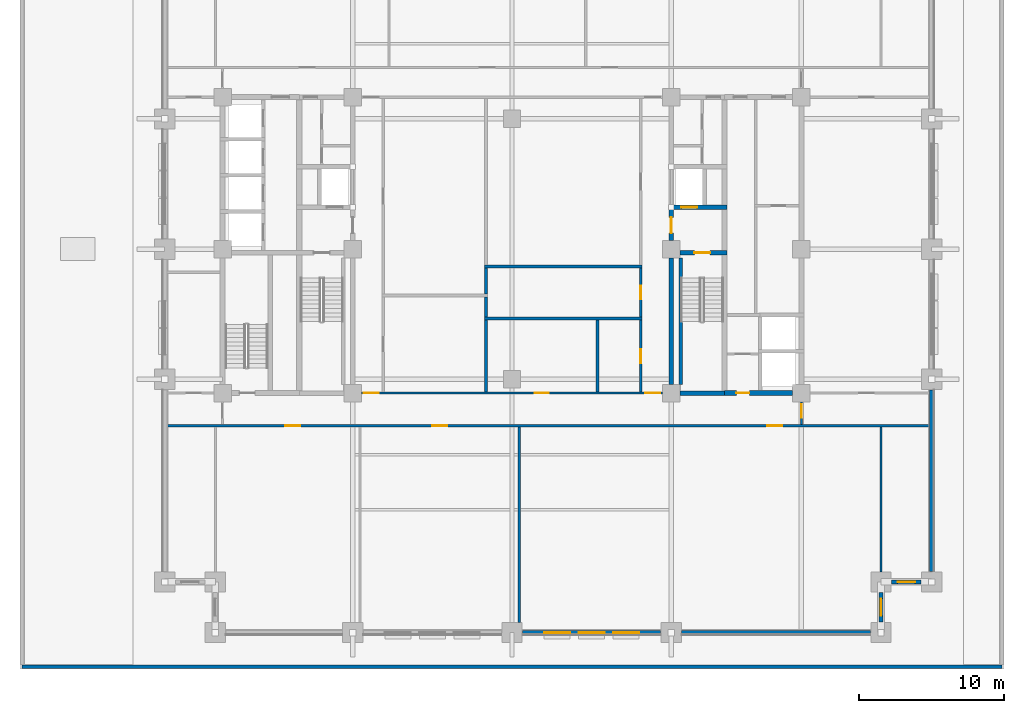
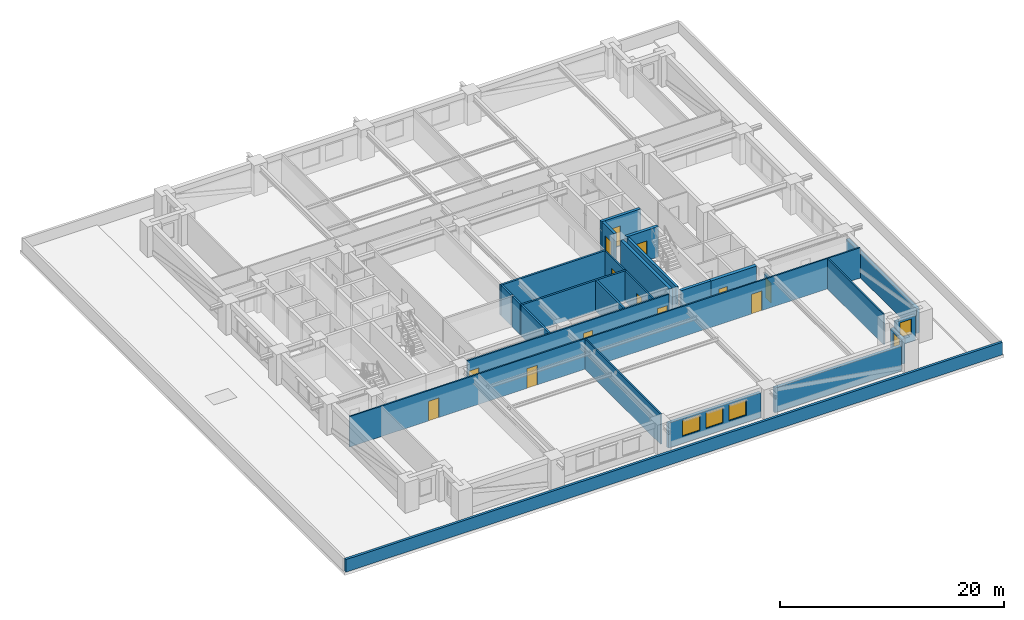
# One storey, part 4 of 12: 26 walls, 13 doors, 5 windows, 18 openings.
"""IFC4 building model written with IfcOpenShell, lengths in metres."""

from ifc_helpers import new_model, si_unit, direction, frame, frame_2d, origin, place, context, subcontext, project, spatial, rectangle, extrude, material, layer, layer_set, type_object, element, fill, save


model = new_model("IFC4")

# Units and contexts
model_context = context("Model", 3, precision=1e-05, world=origin(), true_north=direction((0.0, 1.0)))
body_context = subcontext(model_context, "Body", "Model", "MODEL_VIEW")
ifc_project = project(units=[si_unit("LENGTHUNIT", "METRE"), si_unit("AREAUNIT", "SQUARE_METRE"), si_unit("VOLUMEUNIT", "CUBIC_METRE"), si_unit("PLANEANGLEUNIT", "RADIAN"), si_unit("MASSUNIT", "GRAM", prefix="KILO")], contexts=[model_context])

# Site, building, storey
site_placement = place(None, origin())
site = spatial("IfcSite", under=ifc_project, at=site_placement, CompositionType="ELEMENT")
building_placement = place(site_placement, origin())
building = spatial("IfcBuilding", under=site, at=building_placement, Name="Zulmaris Gate Convention Tower", CompositionType="ELEMENT")
storey_placement = place(building_placement, frame((0.0, 0.0, 27.199951171875)))
storey = spatial("IfcBuildingStorey", under=building, at=storey_placement, Name="L05", CompositionType="ELEMENT", Elevation=27.199951171875)

# Walls
ifc_material_1 = material(Name="Concrete C50/60", Category="concrete")
ifc_layer_1 = layer(ifc_material_1, 0.25, Name="Concrete C50/60")
ifc_layer_set_1 = layer_set([ifc_layer_1], Name="Concrete C50/60")
wall_type_1 = type_object("IfcWallType", Name="CORE-250", PredefinedType="SOLIDWALL", material=ifc_layer_set_1)
wall_1_placement = place(storey_placement, frame((11.64990234375, -9.345947265625, 0.0), z_axis=(0.0, 0.0, 1.0), x_axis=(0.0, 1.0, 0.0)))
element("IfcWall", 1, at=wall_1_placement, inside=storey, type_object=wall_type_1, Name="WL-L05-061", PredefinedType="SOLIDWALL", context=body_context, shape_type="SweptSolid", body=[
    extrude(rectangle(XDim=8.741943359375, YDim=0.25, at=frame_2d((4.37109375, 0.0))), origin(), (0.0, 0.0, 1.0), 3.320068359375),
])
ifc_layer_2 = layer(ifc_material_1, 0.300048828125, Name="Concrete C50/60")
ifc_layer_set_2 = layer_set([ifc_layer_2], Name="Concrete C50/60")
wall_type_2 = type_object("IfcWallType", Name="CORE-300", PredefinedType="SHEAR", material=ifc_layer_set_2)
wall_2_placement = place(storey_placement, frame((11.60400390625, -9.949951171875, 0.0), z_axis=(0.0, 0.0, 1.0), x_axis=(1.0, 0.0, 0.0)))
element("IfcWall", 2, at=wall_2_placement, inside=storey, type_object=wall_type_2, Name="WL-L05-003", PredefinedType="SHEAR", context=body_context, shape_type="SweptSolid", body=[
    extrude(rectangle(XDim=3.095947265625, YDim=0.300048828125, at=frame_2d((1.5478515625, 0.0))), origin(), (0.0, 0.0, 1.0), 3.320068359375),
])

# Wall, opening, door
wall_3_placement = place(storey_placement, frame((11.60400390625, -0.25, 0.0), z_axis=(0.0, 0.0, 1.0), x_axis=(1.0, 0.0, 0.0)))
wall_3 = element("IfcWall", 3, at=wall_3_placement, inside=storey, type_object=wall_type_2, Name="WL-L05-008", PredefinedType="SHEAR", context=body_context, shape_type="SweptSolid", body=[
    extrude(rectangle(XDim=3.27099609375, YDim=0.300048828125, at=frame_2d((1.635498046875, 0.0))), origin(), (0.0, 0.0, 1.0), 3.320068359375),
])
opening_1_placement = place(wall_3_placement, frame((0.99609375, 0.0, 0.0)))
opening_1 = element("IfcOpeningElement", 4, at=opening_1_placement, cuts=wall_3, Name="Opening D-08", PredefinedType="OPENING", context=body_context, shape_type="SweptSolid", body=[
    extrude(rectangle(XDim=1.10009765625, YDim=2.14990234375, at=frame_2d((0.550048828125, 1.074951171875))), frame((0.0, 0.16015625, 0.0), z_axis=(0.0, -1.0, 0.0), x_axis=(1.0, 0.0, 0.0)), (0.0, 0.0, 1.0), 0.320068359375),
])
ifc_material_2 = material(Name="Fire-Rated Steel", Category="steel")
door_type_1 = type_object("IfcDoorType", Name="DR-1100-FD", OperationType="NOTDEFINED", PredefinedType="DOOR", material=ifc_material_2)
door_1_placement = place(opening_1_placement, origin())
door_1 = element("IfcDoor", 5, at=door_1_placement, inside=storey, type_object=door_type_1, Name="L05 Exit Stair ST-2 Door 04", OperationType="SINGLE_SWING_LEFT", OverallHeight=2.14990234375, OverallWidth=1.10009765625, PredefinedType="DOOR", context=body_context, shape_type="SweptSolid", body=[
    extrude(rectangle(XDim=1.10009765625, YDim=2.14990234375, at=frame_2d((0.550048828125, 1.074951171875))), frame((0.0, 0.02490234375, 0.0), z_axis=(0.0, -1.0, 0.0), x_axis=(1.0, 0.0, 0.0)), (0.0, 0.0, 1.0), 0.050048828125),
])
fill(opening_1, door_1)

wall_4_placement = place(storey_placement, frame((10.85009765625, 2.89990234375, 0.0), z_axis=(0.0, 0.0, 1.0), x_axis=(1.0, 0.0, 0.0)))
wall_4 = element("IfcWall", 6, at=wall_4_placement, inside=storey, type_object=wall_type_2, Name="WL-L05-011", PredefinedType="SHEAR", context=body_context, shape_type="SweptSolid", body=[
    extrude(rectangle(XDim=4.02490234375, YDim=0.300048828125, at=frame_2d((2.012451171875, 0.0))), origin(), (0.0, 0.0, 1.0), 3.320068359375),
])
opening_2_placement = place(wall_4_placement, frame((0.85009765625, 0.0, 0.0)))
opening_2 = element("IfcOpeningElement", 7, at=opening_2_placement, cuts=wall_4, Name="Opening D-06", PredefinedType="OPENING", context=body_context, shape_type="SweptSolid", body=[
    extrude(rectangle(XDim=1.10009765625, YDim=2.199951171875, at=frame_2d((0.550048828125, 1.10009765625))), frame((0.0, 0.16015625, 0.0), z_axis=(0.0, -1.0, 0.0), x_axis=(1.0, 0.0, 0.0)), (0.0, 0.0, 1.0), 0.320068359375),
])
ifc_material_3 = material(Name="Brushed Stainless Steel", Category="steel")
door_type_2 = type_object("IfcDoorType", Name="LD-1100", OperationType="NOTDEFINED", PredefinedType="DOOR", material=ifc_material_3)
door_2_placement = place(opening_2_placement, origin())
door_2 = element("IfcDoor", 8, at=door_2_placement, inside=storey, type_object=door_type_2, Name="L05 Lift Landing Door LF-02 06", OperationType="SLIDING_TO_RIGHT", OverallHeight=2.199951171875, OverallWidth=1.10009765625, PredefinedType="DOOR", context=body_context, shape_type="SweptSolid", body=[
    extrude(rectangle(XDim=1.10009765625, YDim=2.199951171875, at=frame_2d((0.550048828125, 1.10009765625))), frame((0.0, 0.02490234375, 0.0), z_axis=(0.0, -1.0, 0.0), x_axis=(1.0, 0.0, 0.0)), (0.0, 0.0, 1.0), 0.050048828125),
])
fill(opening_2, door_2)

# Wall
wall_5_placement = place(storey_placement, frame((11.0, -9.345947265625, 0.0), z_axis=(0.0, 0.0, 1.0), x_axis=(0.0, 1.0, 0.0)))
element("IfcWall", 9, at=wall_5_placement, inside=storey, type_object=wall_type_2, Name="WL-L05-057", PredefinedType="SHEAR", context=body_context, shape_type="SweptSolid", body=[
    extrude(rectangle(XDim=8.741943359375, YDim=0.300048828125, at=frame_2d((4.37109375, 0.0))), origin(), (0.0, 0.0, 1.0), 3.320068359375),
])

# Wall, opening, door
wall_6_placement = place(storey_placement, frame((11.0, 0.60400390625, 0.0), z_axis=(0.0, 0.0, 1.0), x_axis=(0.0, 1.0, 0.0)))
wall_6 = element("IfcWall", 10, at=wall_6_placement, inside=storey, type_object=wall_type_2, Name="WL-L05-058", PredefinedType="SHEAR", context=body_context, shape_type="SweptSolid", body=[
    extrude(rectangle(XDim=2.14404296875, YDim=0.300048828125, at=frame_2d((1.072021484375, 0.0))), origin(), (0.0, 0.0, 1.0), 3.320068359375),
])
opening_3_placement = place(wall_6_placement, frame((0.49609375, 0.0, 0.0)))
opening_3 = element("IfcOpeningElement", 11, at=opening_3_placement, cuts=wall_6, Name="Opening D-08", PredefinedType="OPENING", context=body_context, shape_type="SweptSolid", body=[
    extrude(rectangle(XDim=1.10009765625, YDim=2.14990234375, at=frame_2d((0.550048828125, 1.074951171875))), frame((0.0, 0.16015625, 0.0), z_axis=(0.0, -1.0, 0.0), x_axis=(1.0, 0.0, 0.0)), (0.0, 0.0, 1.0), 0.320068359375),
])
door_3_placement = place(opening_3_placement, origin())
door_3 = element("IfcDoor", 12, at=door_3_placement, inside=storey, type_object=door_type_1, Name="L05 East Firefighting Lobby Door 05", OperationType="SINGLE_SWING_RIGHT", OverallHeight=2.14990234375, OverallWidth=1.10009765625, PredefinedType="DOOR", context=body_context, shape_type="SweptSolid", body=[
    extrude(rectangle(XDim=1.10009765625, YDim=2.14990234375, at=frame_2d((0.550048828125, 1.074951171875))), frame((0.0, 0.02490234375, 0.0), z_axis=(0.0, -1.0, 0.0), x_axis=(1.0, 0.0, 0.0)), (0.0, 0.0, 1.0), 0.050048828125),
])
fill(opening_3, door_3)

ifc_material_4 = material(Name="Concrete C55/67", Category="concrete")
ifc_layer_3 = layer(ifc_material_4, 0.35009765625, Name="Concrete C55/67")
ifc_layer_set_3 = layer_set([ifc_layer_3], Name="Concrete C55/67")
wall_type_3 = type_object("IfcWallType", Name="CORE-350", PredefinedType="SHEAR", material=ifc_layer_set_3)
wall_7_placement = place(storey_placement, frame((14.699951171875, -9.949951171875, 0.0), z_axis=(0.0, 0.0, 1.0), x_axis=(1.0, 0.0, 0.0)))
wall_7 = element("IfcWall", 13, at=wall_7_placement, inside=storey, type_object=wall_type_3, Name="WL-L05-004", PredefinedType="SHEAR", context=body_context, shape_type="SweptSolid", body=[
    extrude(rectangle(XDim=4.696044921875, YDim=0.35009765625, at=frame_2d((2.34814453125, 0.0))), origin(), (0.0, 0.0, 1.0), 3.320068359375),
])
opening_4_placement = place(wall_7_placement, frame((0.800048828125, 0.0, 0.0)))
opening_4 = element("IfcOpeningElement", 14, at=opening_4_placement, cuts=wall_7, Name="Opening D-12", PredefinedType="OPENING", context=body_context, shape_type="SweptSolid", body=[
    extrude(rectangle(XDim=0.89990234375, YDim=2.14990234375, at=frame_2d((0.449951171875, 1.074951171875))), frame((0.0, 0.18505859375, 0.0), z_axis=(0.0, -1.0, 0.0), x_axis=(1.0, 0.0, 0.0)), (0.0, 0.0, 1.0), 0.3701171875),
])
ifc_material_5 = material(Name="Fire-Rated Timber", Category="wood")
door_type_3 = type_object("IfcDoorType", Name="DR-900-FD", OperationType="NOTDEFINED", PredefinedType="DOOR", material=ifc_material_5)
door_4_placement = place(opening_4_placement, origin())
door_4 = element("IfcDoor", 15, at=door_4_placement, inside=storey, type_object=door_type_3, Name="L05 East Cleaners Store Door 19", OperationType="SINGLE_SWING_LEFT", OverallHeight=2.14990234375, OverallWidth=0.89990234375, PredefinedType="DOOR", context=body_context, shape_type="SweptSolid", body=[
    extrude(rectangle(XDim=0.89990234375, YDim=2.14990234375, at=frame_2d((0.449951171875, 1.074951171875))), frame((0.0, 0.02490234375, 0.0), z_axis=(0.0, -1.0, 0.0), x_axis=(1.0, 0.0, 0.0)), (0.0, 0.0, 1.0), 0.050048828125),
])
fill(opening_4, door_4)

# Wall, openings, doors
ifc_material_6 = material(Name="Gypsum Metal Stud Partition")
ifc_layer_4 = layer(ifc_material_6, 0.14990234375, Name="Gypsum Metal Stud Partition")
ifc_layer_set_4 = layer_set([ifc_layer_4], Name="Gypsum Metal Stud Partition")
wall_type_4 = type_object("IfcWallType", Name="PART-150", PredefinedType="PARTITIONING", material=ifc_layer_set_4)
wall_8_placement = place(storey_placement, frame((-23.8349609375, -12.199951171875, 0.0), z_axis=(0.0, 0.0, 1.0), x_axis=(1.0, 0.0, 0.0)))
wall_8 = element("IfcWall", 16, at=wall_8_placement, inside=storey, type_object=wall_type_4, Name="WL-L05-020", PredefinedType="PARTITIONING", context=body_context, shape_type="SweptSolid", body=[
    extrude(rectangle(XDim=52.669921875, YDim=0.14990234375, at=frame_2d((26.3349609375, 0.0))), origin(), (0.0, 0.0, 1.0), 3.320068359375),
])
opening_5_placement = place(wall_8_placement, frame((8.159912109375, 0.0, 0.0)))
opening_5 = element("IfcOpeningElement", 17, at=opening_5_placement, cuts=wall_8, Name="Opening D-09", PredefinedType="OPENING", context=body_context, shape_type="SweptSolid", body=[
    extrude(rectangle(XDim=1.050048828125, YDim=2.14990234375, at=frame_2d((0.52490234375, 1.074951171875))), frame((0.0, 0.0849609375, 0.0), z_axis=(0.0, -1.0, 0.0), x_axis=(1.0, 0.0, 0.0)), (0.0, 0.0, 1.0), 0.169921875),
])
opening_6_placement = place(wall_8_placement, frame((18.31005859375, 0.0, 0.0)))
opening_6 = element("IfcOpeningElement", 18, at=opening_6_placement, cuts=wall_8, Name="Opening D-09", PredefinedType="OPENING", context=body_context, shape_type="SweptSolid", body=[
    extrude(rectangle(XDim=1.050048828125, YDim=2.14990234375, at=frame_2d((0.52490234375, 1.074951171875))), frame((0.0, 0.0849609375, 0.0), z_axis=(0.0, -1.0, 0.0), x_axis=(1.0, 0.0, 0.0)), (0.0, 0.0, 1.0), 0.169921875),
])
opening_7_placement = place(wall_8_placement, frame((41.4599609375, 0.0, 0.0)))
opening_7 = element("IfcOpeningElement", 19, at=opening_7_placement, cuts=wall_8, Name="Opening D-09", PredefinedType="OPENING", context=body_context, shape_type="SweptSolid", body=[
    extrude(rectangle(XDim=1.050048828125, YDim=2.14990234375, at=frame_2d((0.52490234375, 1.074951171875))), frame((0.0, 0.0849609375, 0.0), z_axis=(0.0, -1.0, 0.0), x_axis=(1.0, 0.0, 0.0)), (0.0, 0.0, 1.0), 0.169921875),
])
door_type_4 = type_object("IfcDoorType", Name="DR-1050-FD", OperationType="NOTDEFINED", PredefinedType="DOOR", material=ifc_material_2)
door_5_placement = place(opening_5_placement, origin())
door_5 = element("IfcDoor", 20, at=door_5_placement, inside=storey, type_object=door_type_4, Name="L05 Executive Boardroom Door 31", OperationType="SINGLE_SWING_LEFT", OverallHeight=2.14990234375, OverallWidth=1.050048828125, PredefinedType="DOOR", context=body_context, shape_type="SweptSolid", body=[
    extrude(rectangle(XDim=1.050048828125, YDim=2.14990234375, at=frame_2d((0.52490234375, 1.074951171875))), frame((0.0, 0.02490234375, 0.0), z_axis=(0.0, -1.0, 0.0), x_axis=(1.0, 0.0, 0.0)), (0.0, 0.0, 1.0), 0.050048828125),
])
fill(opening_5, door_5)
door_6_placement = place(opening_6_placement, origin())
door_6 = element("IfcDoor", 21, at=door_6_placement, inside=storey, type_object=door_type_4, Name="L05 Corporate Strategy Office Door 32", OperationType="SINGLE_SWING_RIGHT", OverallHeight=2.14990234375, OverallWidth=1.050048828125, PredefinedType="DOOR", context=body_context, shape_type="SweptSolid", body=[
    extrude(rectangle(XDim=1.050048828125, YDim=2.14990234375, at=frame_2d((0.52490234375, 1.074951171875))), frame((0.0, 0.02490234375, 0.0), z_axis=(0.0, -1.0, 0.0), x_axis=(1.0, 0.0, 0.0)), (0.0, 0.0, 1.0), 0.050048828125),
])
fill(opening_6, door_6)
door_7_placement = place(opening_7_placement, origin())
door_7 = element("IfcDoor", 22, at=door_7_placement, inside=storey, type_object=door_type_4, Name="L05 Project Advisory Studio Door 33", OperationType="SINGLE_SWING_LEFT", OverallHeight=2.14990234375, OverallWidth=1.050048828125, PredefinedType="DOOR", context=body_context, shape_type="SweptSolid", body=[
    extrude(rectangle(XDim=1.050048828125, YDim=2.14990234375, at=frame_2d((0.52490234375, 1.074951171875))), frame((0.0, 0.02490234375, 0.0), z_axis=(0.0, -1.0, 0.0), x_axis=(1.0, 0.0, 0.0)), (0.0, 0.0, 1.0), 0.050048828125),
])
fill(opening_7, door_7)

wall_9_placement = place(storey_placement, frame((-10.39404296875, -9.949951171875, 0.0), z_axis=(0.0, 0.0, 1.0), x_axis=(1.0, 0.0, 0.0)))
wall_9 = element("IfcWall", 23, at=wall_9_placement, inside=storey, type_object=wall_type_4, Name="WL-L05-022", PredefinedType="PARTITIONING", context=body_context, shape_type="SweptSolid", body=[
    extrude(rectangle(XDim=20.7880859375, YDim=0.14990234375, at=frame_2d((10.39404296875, 0.0))), origin(), (0.0, 0.0, 1.0), 3.320068359375),
])
opening_8_placement = place(wall_9_placement, frame((0.14990234375, 0.0, 0.0)))
opening_8 = element("IfcOpeningElement", 24, at=opening_8_placement, cuts=wall_9, Name="Opening D-09", PredefinedType="OPENING", context=body_context, shape_type="SweptSolid", body=[
    extrude(rectangle(XDim=1.050048828125, YDim=2.14990234375, at=frame_2d((0.52490234375, 1.074951171875))), frame((0.0, 0.0849609375, 0.0), z_axis=(0.0, -1.0, 0.0), x_axis=(1.0, 0.0, 0.0)), (0.0, 0.0, 1.0), 0.169921875),
])
opening_9_placement = place(wall_9_placement, frame((19.587890625, 0.0, 0.0)))
opening_9 = element("IfcOpeningElement", 25, at=opening_9_placement, cuts=wall_9, Name="Opening D-09", PredefinedType="OPENING", context=body_context, shape_type="SweptSolid", body=[
    extrude(rectangle(XDim=1.050048828125, YDim=2.14990234375, at=frame_2d((0.52490234375, 1.074951171875))), frame((0.0, 0.0849609375, 0.0), z_axis=(0.0, -1.0, 0.0), x_axis=(1.0, 0.0, 0.0)), (0.0, 0.0, 1.0), 0.169921875),
])
opening_10_placement = place(wall_9_placement, frame((11.968994140625, 0.0, 0.0)))
opening_10 = element("IfcOpeningElement", 26, at=opening_10_placement, cuts=wall_9, Name="Opening D-11", PredefinedType="OPENING", context=body_context, shape_type="SweptSolid", body=[
    extrude(rectangle(XDim=0.949951171875, YDim=2.14990234375, at=frame_2d((0.47509765625, 1.074951171875))), frame((0.0, 0.0849609375, 0.0), z_axis=(0.0, -1.0, 0.0), x_axis=(1.0, 0.0, 0.0)), (0.0, 0.0, 1.0), 0.169921875),
])
door_8_placement = place(opening_8_placement, origin())
door_8 = element("IfcDoor", 27, at=door_8_placement, inside=storey, type_object=door_type_4, Name="L05 SW Spine Link Door 25", OperationType="SINGLE_SWING_LEFT", OverallHeight=2.14990234375, OverallWidth=1.050048828125, PredefinedType="DOOR", context=body_context, shape_type="SweptSolid", body=[
    extrude(rectangle(XDim=1.050048828125, YDim=2.14990234375, at=frame_2d((0.52490234375, 1.074951171875))), frame((0.0, 0.02490234375, 0.0), z_axis=(0.0, -1.0, 0.0), x_axis=(1.0, 0.0, 0.0)), (0.0, 0.0, 1.0), 0.050048828125),
])
fill(opening_8, door_8)
door_9_placement = place(opening_9_placement, origin())
door_9 = element("IfcDoor", 28, at=door_9_placement, inside=storey, type_object=door_type_4, Name="L05 SE Spine Link Door 27", OperationType="SINGLE_SWING_LEFT", OverallHeight=2.14990234375, OverallWidth=1.050048828125, PredefinedType="DOOR", context=body_context, shape_type="SweptSolid", body=[
    extrude(rectangle(XDim=1.050048828125, YDim=2.14990234375, at=frame_2d((0.52490234375, 1.074951171875))), frame((0.0, 0.02490234375, 0.0), z_axis=(0.0, -1.0, 0.0), x_axis=(1.0, 0.0, 0.0)), (0.0, 0.0, 1.0), 0.050048828125),
])
fill(opening_9, door_9)
door_type_5 = type_object("IfcDoorType", Name="DR-950-FD", OperationType="NOTDEFINED", PredefinedType="DOOR", material=ifc_material_5)
door_10_placement = place(opening_10_placement, origin())
door_10 = element("IfcDoor", 29, at=door_10_placement, inside=storey, type_object=door_type_5, Name="L05 Print Room Door 39", OperationType="SINGLE_SWING_LEFT", OverallHeight=2.14990234375, OverallWidth=0.949951171875, PredefinedType="DOOR", context=body_context, shape_type="SweptSolid", body=[
    extrude(rectangle(XDim=0.949951171875, YDim=2.14990234375, at=frame_2d((0.47509765625, 1.074951171875))), frame((0.0, 0.02490234375, 0.0), z_axis=(0.0, -1.0, 0.0), x_axis=(1.0, 0.0, 0.0)), (0.0, 0.0, 1.0), 0.050048828125),
])
fill(opening_10, door_10)

# Wall
wall_10_placement = place(storey_placement, frame((0.5, -25.7939453125, 0.0), z_axis=(0.0, 0.0, 1.0), x_axis=(0.0, 1.0, 0.0)))
element("IfcWall", 30, at=wall_10_placement, inside=storey, type_object=wall_type_4, Name="WL-L05-086", PredefinedType="PARTITIONING", context=body_context, shape_type="SweptSolid", body=[
    extrude(rectangle(XDim=13.515869140625, YDim=0.14990234375, at=frame_2d((6.7578125, 0.0))), origin(), (0.0, 0.0, 1.0), 3.320068359375),
])

# Wall, opening, door
wall_11_placement = place(storey_placement, frame((8.89990234375, -9.8720703125, 0.0), z_axis=(0.0, 0.0, 1.0), x_axis=(0.0, 1.0, 0.0)))
wall_11 = element("IfcWall", 31, at=wall_11_placement, inside=storey, type_object=wall_type_4, Name="WL-L05-089", PredefinedType="PARTITIONING", context=body_context, shape_type="SweptSolid", body=[
    extrude(rectangle(XDim=4.968994140625, YDim=0.14990234375, at=frame_2d((2.484375, 0.0))), origin(), (0.0, 0.0, 1.0), 3.320068359375),
])
opening_11_placement = place(wall_11_placement, frame((1.9970703125, 0.0, 0.0)))
opening_11 = element("IfcOpeningElement", 32, at=opening_11_placement, cuts=wall_11, Name="Opening D-11", PredefinedType="OPENING", context=body_context, shape_type="SweptSolid", body=[
    extrude(rectangle(XDim=0.949951171875, YDim=2.14990234375, at=frame_2d((0.47509765625, 1.074951171875))), frame((0.0, 0.0849609375, 0.0), z_axis=(0.0, -1.0, 0.0), x_axis=(1.0, 0.0, 0.0)), (0.0, 0.0, 1.0), 0.169921875),
])
door_11_placement = place(opening_11_placement, origin())
door_11 = element("IfcDoor", 33, at=door_11_placement, inside=storey, type_object=door_type_5, Name="L05 Accessible WC Door 38", OperationType="SINGLE_SWING_RIGHT", OverallHeight=2.14990234375, OverallWidth=0.949951171875, PredefinedType="DOOR", context=body_context, shape_type="SweptSolid", body=[
    extrude(rectangle(XDim=0.949951171875, YDim=2.14990234375, at=frame_2d((0.47509765625, 1.074951171875))), frame((0.0, 0.02490234375, 0.0), z_axis=(0.0, -1.0, 0.0), x_axis=(1.0, 0.0, 0.0)), (0.0, 0.0, 1.0), 0.050048828125),
])
fill(opening_11, door_11)

wall_12_placement = place(storey_placement, frame((8.89990234375, -4.697021484375, 0.0), z_axis=(0.0, 0.0, 1.0), x_axis=(0.0, 1.0, 0.0)))
wall_12 = element("IfcWall", 34, at=wall_12_placement, inside=storey, type_object=wall_type_4, Name="WL-L05-090", PredefinedType="PARTITIONING", context=body_context, shape_type="SweptSolid", body=[
    extrude(rectangle(XDim=3.39404296875, YDim=0.14990234375, at=frame_2d((1.697021484375, 0.0))), origin(), (0.0, 0.0, 1.0), 3.320068359375),
])
opening_12_placement = place(wall_12_placement, frame((1.221923828125, 0.0, 0.0)))
opening_12 = element("IfcOpeningElement", 35, at=opening_12_placement, cuts=wall_12, Name="Opening D-11", PredefinedType="OPENING", context=body_context, shape_type="SweptSolid", body=[
    extrude(rectangle(XDim=0.949951171875, YDim=2.14990234375, at=frame_2d((0.47509765625, 1.074951171875))), frame((0.0, 0.0849609375, 0.0), z_axis=(0.0, -1.0, 0.0), x_axis=(1.0, 0.0, 0.0)), (0.0, 0.0, 1.0), 0.169921875),
])
door_12_placement = place(opening_12_placement, origin())
door_12 = element("IfcDoor", 36, at=door_12_placement, inside=storey, type_object=door_type_5, Name="L05 Public WC Door 37", OperationType="SINGLE_SWING_LEFT", OverallHeight=2.14990234375, OverallWidth=0.949951171875, PredefinedType="DOOR", context=body_context, shape_type="SweptSolid", body=[
    extrude(rectangle(XDim=0.949951171875, YDim=2.14990234375, at=frame_2d((0.47509765625, 1.074951171875))), frame((0.0, 0.02490234375, 0.0), z_axis=(0.0, -1.0, 0.0), x_axis=(1.0, 0.0, 0.0)), (0.0, 0.0, 1.0), 0.050048828125),
])
fill(opening_12, door_12)

wall_13_placement = place(storey_placement, frame((20.0, -12.1220703125, 0.0), z_axis=(0.0, 0.0, 1.0), x_axis=(0.0, 1.0, 0.0)))
wall_13 = element("IfcWall", 37, at=wall_13_placement, inside=storey, type_object=wall_type_4, Name="WL-L05-096", PredefinedType="PARTITIONING", context=body_context, shape_type="SweptSolid", body=[
    extrude(rectangle(XDim=1.566162109375, YDim=0.14990234375, at=frame_2d((0.783203125, 0.0))), origin(), (0.0, 0.0, 1.0), 2.66015625),
])
opening_13_placement = place(wall_13_placement, frame((0.466064453125, 0.0, 0.0)))
opening_13 = element("IfcOpeningElement", 38, at=opening_13_placement, cuts=wall_13, Name="Opening D-11", PredefinedType="OPENING", context=body_context, shape_type="SweptSolid", body=[
    extrude(rectangle(XDim=0.949951171875, YDim=2.14990234375, at=frame_2d((0.47509765625, 1.074951171875))), frame((0.0, 0.0849609375, 0.0), z_axis=(0.0, -1.0, 0.0), x_axis=(1.0, 0.0, 0.0)), (0.0, 0.0, 1.0), 0.169921875),
])
door_13_placement = place(opening_13_placement, origin())
door_13 = element("IfcDoor", 39, at=door_13_placement, inside=storey, type_object=door_type_5, Name="L05 SE Spur Door 45", OperationType="SINGLE_SWING_LEFT", OverallHeight=2.14990234375, OverallWidth=0.949951171875, PredefinedType="DOOR", context=body_context, shape_type="SweptSolid", body=[
    extrude(rectangle(XDim=0.949951171875, YDim=2.14990234375, at=frame_2d((0.47509765625, 1.074951171875))), frame((0.0, 0.02490234375, 0.0), z_axis=(0.0, -1.0, 0.0), x_axis=(1.0, 0.0, 0.0)), (0.0, 0.0, 1.0), 0.050048828125),
])
fill(opening_13, door_13)

# Walls
wall_14_placement = place(storey_placement, frame((25.5, -22.2939453125, 0.0), z_axis=(0.0, 0.0, 1.0), x_axis=(0.0, 1.0, 0.0)))
element("IfcWall", 40, at=wall_14_placement, inside=storey, type_object=wall_type_4, Name="WL-L05-098", PredefinedType="PARTITIONING", context=body_context, shape_type="SweptSolid", body=[
    extrude(rectangle(XDim=10.015869140625, YDim=0.14990234375, at=frame_2d((5.0078125, 0.0))), origin(), (0.0, 0.0, 1.0), 3.320068359375),
])
ifc_material_7 = material(Name="Autoclaved Aerated Concrete Block and Plasterboard", Category="concrete")
ifc_layer_5 = layer(ifc_material_7, 0.199951171875, Name="Autoclaved Aerated Concrete Block and Plasterboard")
ifc_layer_set_5 = layer_set([ifc_layer_5], Name="Autoclaved Aerated Concrete Block and Plasterboard")
wall_type_5 = type_object("IfcWallType", Name="PART-200", PredefinedType="PARTITIONING", material=ifc_layer_set_5)
for number, where, z_axis, x_axis, name in (
    (41, (-1.89990234375, -4.800048828125, 0.0), (0.0, 0.0, 1.0), (1.0, 0.0, 0.0), "WL-L05-025"),
    (42, (-1.89990234375, -1.199951171875, 0.0), (0.0, 0.0, 1.0), (1.0, 0.0, 0.0), "WL-L05-029"),
):
    element("IfcWall", number, at=place(storey_placement, frame(where, z_axis=z_axis, x_axis=x_axis)), inside=storey, type_object=wall_type_5, Name=name, PredefinedType="PARTITIONING", context=body_context, shape_type="SweptSolid", body=[
        extrude(rectangle(XDim=10.875, YDim=0.199951171875, at=frame_2d((5.4375, 0.0))), origin(), (0.0, 0.0, 1.0), 3.320068359375),
    ])
wall_15_placement = place(storey_placement, frame((-1.800048828125, -9.8720703125, 0.0), z_axis=(0.0, 0.0, 1.0), x_axis=(0.0, 1.0, 0.0)))
element("IfcWall", 43, at=wall_15_placement, inside=storey, type_object=wall_type_5, Name="WL-L05-082", PredefinedType="PARTITIONING", context=body_context, shape_type="SweptSolid", body=[
    extrude(rectangle(XDim=4.968994140625, YDim=0.199951171875, at=frame_2d((2.484375, 0.0))), origin(), (0.0, 0.0, 1.0), 3.320068359375),
])
wall_16_placement = place(storey_placement, frame((-1.800048828125, -4.697021484375, 0.0), z_axis=(0.0, 0.0, 1.0), x_axis=(0.0, 1.0, 0.0)))
element("IfcWall", 44, at=wall_16_placement, inside=storey, type_object=wall_type_5, Name="WL-L05-083", PredefinedType="PARTITIONING", context=body_context, shape_type="SweptSolid", body=[
    extrude(rectangle(XDim=1.39404296875, YDim=0.199951171875, at=frame_2d((0.697021484375, 0.0))), origin(), (0.0, 0.0, 1.0), 3.320068359375),
])
wall_17_placement = place(storey_placement, frame((-1.800048828125, -3.096923828125, 0.0), z_axis=(0.0, 0.0, 1.0), x_axis=(0.0, 1.0, 0.0)))
element("IfcWall", 45, at=wall_17_placement, inside=storey, type_object=wall_type_5, Name="WL-L05-084", PredefinedType="PARTITIONING", context=body_context, shape_type="SweptSolid", body=[
    extrude(rectangle(XDim=1.7939453125, YDim=0.199951171875, at=frame_2d((0.89697265625, 0.0))), origin(), (0.0, 0.0, 1.0), 3.320068359375),
])
wall_18_placement = place(storey_placement, frame((5.89990234375, -9.8720703125, 0.0), z_axis=(0.0, 0.0, 1.0), x_axis=(0.0, 1.0, 0.0)))
element("IfcWall", 46, at=wall_18_placement, inside=storey, type_object=wall_type_5, Name="WL-L05-088", PredefinedType="PARTITIONING", context=body_context, shape_type="SweptSolid", body=[
    extrude(rectangle(XDim=4.968994140625, YDim=0.199951171875, at=frame_2d((2.484375, 0.0))), origin(), (0.0, 0.0, 1.0), 3.320068359375),
])
ifc_material_8 = material(Name="Precast concrete C40/50", Category="concrete")
ifc_layer_6 = layer(ifc_material_8, 0.25, Name="Precast concrete C40/50")
ifc_layer_set_6 = layer_set([ifc_layer_6], Name="Precast concrete C40/50")
wall_type_6 = type_object("IfcWallType", Name="PRECAST-PARAPET-250", PredefinedType="PARAPET", material=ifc_layer_set_6)
wall_19_placement = place(storey_placement, frame((-33.85009765625, -28.85009765625, 0.0), z_axis=(0.0, 0.0, 1.0), x_axis=(1.0, 0.0, 0.0)))
element("IfcWall", 47, at=wall_19_placement, inside=storey, type_object=wall_type_6, Name="PRP-L05-POD-S", PredefinedType="PARAPET", context=body_context, shape_type="SweptSolid", body=[
    extrude(rectangle(XDim=67.7001953125, YDim=0.25, at=frame_2d((33.85009765625, 0.0))), origin(), (0.0, 0.0, 1.0), 1.3701171875),
])

# Wall, opening, window
ifc_layer_7 = layer(ifc_material_8, 0.300048828125, Name="Precast concrete C40/50")
ifc_layer_set_7 = layer_set([ifc_layer_7], Name="Precast concrete C40/50")
wall_type_7 = type_object("IfcWallType", Name="PRECAST-PIER-300", PredefinedType="STANDARD", material=ifc_layer_set_7)
wall_20_placement = place(storey_placement, frame((25.5, -25.77001953125, 0.0), z_axis=(0.0, 0.0, 1.0), x_axis=(0.0, 1.0, 0.0)))
wall_20 = element("IfcWall", 48, at=wall_20_placement, inside=storey, type_object=wall_type_7, Name="EW-L05-NOTCH-SE1_0", PredefinedType="STANDARD", context=body_context, shape_type="SweptSolid", body=[
    extrude(rectangle(XDim=2.0400390625, YDim=0.300048828125, at=frame_2d((1.02001953125, 0.0))), origin(), (0.0, 0.0, 1.0), 2.712158203125),
])
opening_14_placement = place(wall_20_placement, frame((0.419921875, 0.0, 0.820068359375)))
opening_14 = element("IfcOpeningElement", 49, at=opening_14_placement, cuts=wall_20, Name="Opening W-04", PredefinedType="OPENING", context=body_context, shape_type="SweptSolid", body=[
    extrude(rectangle(XDim=1.199951171875, YDim=1.64990234375, at=frame_2d((0.60009765625, 0.824951171875))), frame((0.0, 0.16015625, 0.0), z_axis=(0.0, -1.0, 0.0), x_axis=(1.0, 0.0, 0.0)), (0.0, 0.0, 1.0), 0.320068359375),
])
ifc_material_9 = material(Name="Low-E Laminated Double Glazing in Aluminium Frame", Category="aluminium")
window_type_1 = type_object("IfcWindowType", Name="WIN-1200x2100", PartitioningType="SINGLE_PANEL", PredefinedType="WINDOW", material=ifc_material_9)
window_1_placement = place(opening_14_placement, origin())
window_1 = element("IfcWindow", 50, at=window_1_placement, inside=storey, type_object=window_type_1, Name="WN-EW-L05-NOTCH-SE1_0", OverallHeight=1.64990234375, OverallWidth=1.199951171875, PartitioningType="SINGLE_PANEL", PredefinedType="WINDOW", context=body_context, shape_type="SweptSolid", body=[
    extrude(rectangle(XDim=1.199951171875, YDim=1.64990234375, at=frame_2d((0.60009765625, 0.824951171875))), frame((0.0, 0.030029296875, 0.0), z_axis=(0.0, -1.0, 0.0), x_axis=(1.0, 0.0, 0.0)), (0.0, 0.0, 1.0), 0.06005859375),
])
fill(opening_14, window_1)

wall_21_placement = place(storey_placement, frame((26.22998046875, -23.0, 0.0), z_axis=(0.0, 0.0, 1.0), x_axis=(1.0, 0.0, 0.0)))
wall_21 = element("IfcWall", 51, at=wall_21_placement, inside=storey, type_object=wall_type_7, Name="EW-L05-NOTCH-SE2_0", PredefinedType="STANDARD", context=body_context, shape_type="SweptSolid", body=[
    extrude(rectangle(XDim=2.0400390625, YDim=0.300048828125, at=frame_2d((1.02001953125, 0.0))), origin(), (0.0, 0.0, 1.0), 2.712158203125),
])
opening_15_placement = place(wall_21_placement, frame((0.419921875, 0.0, 0.820068359375)))
opening_15 = element("IfcOpeningElement", 52, at=opening_15_placement, cuts=wall_21, Name="Opening W-04", PredefinedType="OPENING", context=body_context, shape_type="SweptSolid", body=[
    extrude(rectangle(XDim=1.199951171875, YDim=1.64990234375, at=frame_2d((0.60009765625, 0.824951171875))), frame((0.0, 0.16015625, 0.0), z_axis=(0.0, -1.0, 0.0), x_axis=(1.0, 0.0, 0.0)), (0.0, 0.0, 1.0), 0.320068359375),
])
window_2_placement = place(opening_15_placement, origin())
window_2 = element("IfcWindow", 53, at=window_2_placement, inside=storey, type_object=window_type_1, Name="WN-EW-L05-NOTCH-SE2_0", OverallHeight=1.64990234375, OverallWidth=1.199951171875, PartitioningType="SINGLE_PANEL", PredefinedType="WINDOW", context=body_context, shape_type="SweptSolid", body=[
    extrude(rectangle(XDim=1.199951171875, YDim=1.64990234375, at=frame_2d((0.60009765625, 0.824951171875))), frame((0.0, 0.030029296875, 0.0), z_axis=(0.0, -1.0, 0.0), x_axis=(1.0, 0.0, 0.0)), (0.0, 0.0, 1.0), 0.06005859375),
])
fill(opening_15, window_2)

# Wall, openings, windows
wall_22_placement = place(storey_placement, frame((0.72998046875, -26.5, 0.0), z_axis=(0.0, 0.0, 1.0), x_axis=(1.0, 0.0, 0.0)))
wall_22 = element("IfcWall", 54, at=wall_22_placement, inside=storey, type_object=wall_type_7, Name="EW-L05-S-2_0", PredefinedType="STANDARD", context=body_context, shape_type="SweptSolid", body=[
    extrude(rectangle(XDim=9.5400390625, YDim=0.300048828125, at=frame_2d((4.77001953125, 0.0))), origin(), (0.0, 0.0, 1.0), 2.712158203125),
])
opening_16_placement = place(wall_22_placement, frame((1.485107421875, 0.0, 0.780029296875)))
opening_16 = element("IfcOpeningElement", 55, at=opening_16_placement, cuts=wall_22, Name="Opening W-02", PredefinedType="OPENING", context=body_context, shape_type="SweptSolid", body=[
    extrude(rectangle(XDim=1.800048828125, YDim=1.719970703125, at=frame_2d((0.89990234375, 0.85986328125))), frame((0.0, 0.16015625, 0.0), z_axis=(0.0, -1.0, 0.0), x_axis=(1.0, 0.0, 0.0)), (0.0, 0.0, 1.0), 0.320068359375),
])
opening_17_placement = place(wall_22_placement, frame((3.8701171875, 0.0, 0.780029296875)))
opening_17 = element("IfcOpeningElement", 56, at=opening_17_placement, cuts=wall_22, Name="Opening W-02", PredefinedType="OPENING", context=body_context, shape_type="SweptSolid", body=[
    extrude(rectangle(XDim=1.800048828125, YDim=1.719970703125, at=frame_2d((0.89990234375, 0.85986328125))), frame((0.0, 0.16015625, 0.0), z_axis=(0.0, -1.0, 0.0), x_axis=(1.0, 0.0, 0.0)), (0.0, 0.0, 1.0), 0.320068359375),
])
opening_18_placement = place(wall_22_placement, frame((6.2548828125, 0.0, 0.780029296875)))
opening_18 = element("IfcOpeningElement", 57, at=opening_18_placement, cuts=wall_22, Name="Opening W-02", PredefinedType="OPENING", context=body_context, shape_type="SweptSolid", body=[
    extrude(rectangle(XDim=1.800048828125, YDim=1.719970703125, at=frame_2d((0.89990234375, 0.85986328125))), frame((0.0, 0.16015625, 0.0), z_axis=(0.0, -1.0, 0.0), x_axis=(1.0, 0.0, 0.0)), (0.0, 0.0, 1.0), 0.320068359375),
])
window_type_2 = type_object("IfcWindowType", Name="WIN-1800x2200", PartitioningType="SINGLE_PANEL", PredefinedType="WINDOW", material=ifc_material_9)
window_3_placement = place(opening_16_placement, origin())
window_3 = element("IfcWindow", 58, at=window_3_placement, inside=storey, type_object=window_type_2, Name="WN-EW-L05-S-2_0-1", OverallHeight=1.719970703125, OverallWidth=1.800048828125, PartitioningType="SINGLE_PANEL", PredefinedType="WINDOW", context=body_context, shape_type="SweptSolid", body=[
    extrude(rectangle(XDim=1.800048828125, YDim=1.719970703125, at=frame_2d((0.89990234375, 0.85986328125))), frame((0.0, 0.030029296875, 0.0), z_axis=(0.0, -1.0, 0.0), x_axis=(1.0, 0.0, 0.0)), (0.0, 0.0, 1.0), 0.06005859375),
])
fill(opening_16, window_3)
window_4_placement = place(opening_17_placement, origin())
window_4 = element("IfcWindow", 59, at=window_4_placement, inside=storey, type_object=window_type_2, Name="WN-EW-L05-S-2_0-2", OverallHeight=1.719970703125, OverallWidth=1.800048828125, PartitioningType="SINGLE_PANEL", PredefinedType="WINDOW", context=body_context, shape_type="SweptSolid", body=[
    extrude(rectangle(XDim=1.800048828125, YDim=1.719970703125, at=frame_2d((0.89990234375, 0.85986328125))), frame((0.0, 0.030029296875, 0.0), z_axis=(0.0, -1.0, 0.0), x_axis=(1.0, 0.0, 0.0)), (0.0, 0.0, 1.0), 0.06005859375),
])
fill(opening_17, window_4)
window_5_placement = place(opening_18_placement, origin())
window_5 = element("IfcWindow", 60, at=window_5_placement, inside=storey, type_object=window_type_2, Name="WN-EW-L05-S-2_0-3", OverallHeight=1.719970703125, OverallWidth=1.800048828125, PartitioningType="SINGLE_PANEL", PredefinedType="WINDOW", context=body_context, shape_type="SweptSolid", body=[
    extrude(rectangle(XDim=1.800048828125, YDim=1.719970703125, at=frame_2d((0.89990234375, 0.85986328125))), frame((0.0, 0.030029296875, 0.0), z_axis=(0.0, -1.0, 0.0), x_axis=(1.0, 0.0, 0.0)), (0.0, 0.0, 1.0), 0.06005859375),
])
fill(opening_18, window_5)

# Walls
wall_23_placement = place(storey_placement, frame((11.72998046875, -26.5, 0.0), z_axis=(0.0, 0.0, 1.0), x_axis=(1.0, 0.0, 0.0)))
element("IfcWall", 61, at=wall_23_placement, inside=storey, type_object=wall_type_7, Name="EW-L05-S-3_0", PredefinedType="STANDARD", context=body_context, shape_type="SweptSolid", body=[
    extrude(rectangle(XDim=13.0400390625, YDim=0.300048828125, at=frame_2d((6.52001953125, 0.0))), origin(), (0.0, 0.0, 1.0), 2.712158203125),
])
wall_24_placement = place(storey_placement, frame((29.0, -22.27001953125, 0.0), z_axis=(0.0, 0.0, 1.0), x_axis=(0.0, 1.0, 0.0)))
element("IfcWall", 62, at=wall_24_placement, inside=storey, type_object=wall_type_7, Name="EW-L05-E-0_0", PredefinedType="STANDARD", context=body_context, shape_type="SweptSolid", body=[
    extrude(rectangle(XDim=12.5400390625, YDim=0.300048828125, at=frame_2d((6.27001953125, 0.0))), origin(), (0.0, 0.0, 1.0), 2.712158203125),
])

save(model, "model.ifc")
